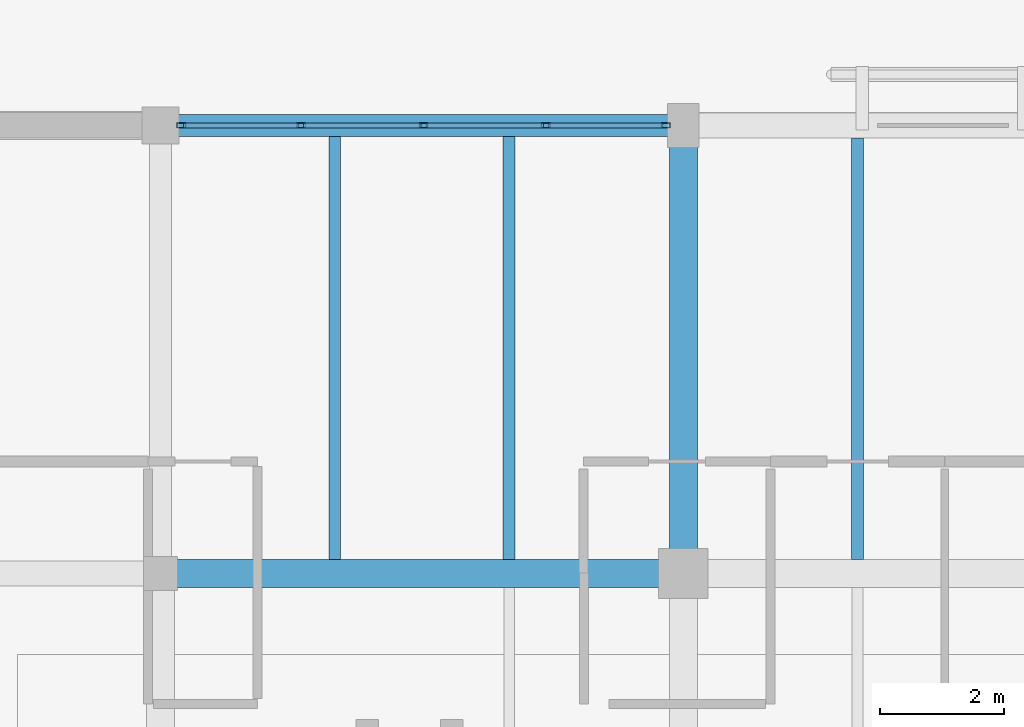
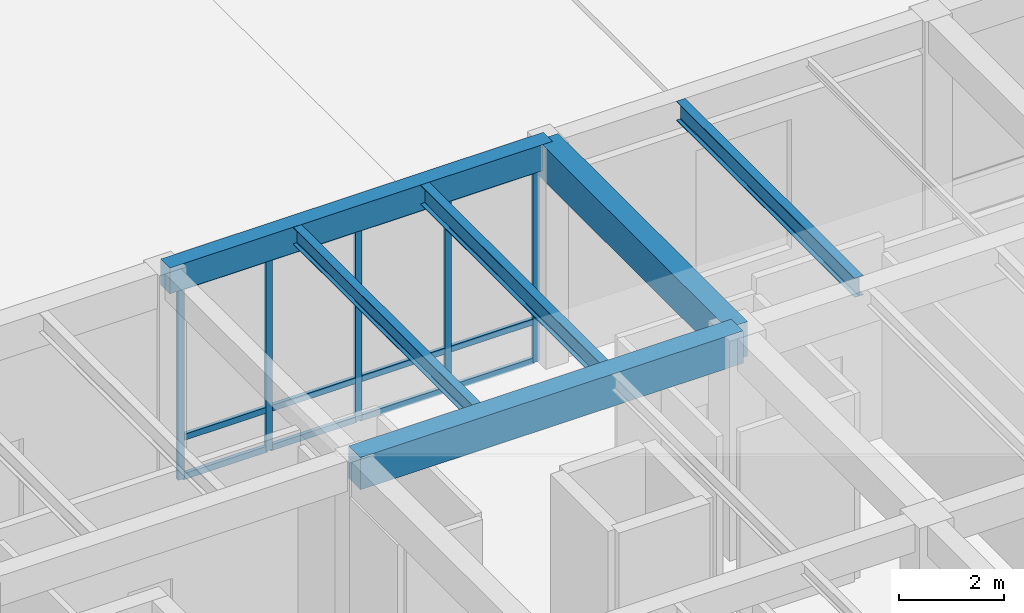
# One storey, part 49 of 169: 17 members, 6 beams, 1 element without a shape of its own.
"""IFC4 building model written with IfcOpenShell, lengths in metres."""

import ifcopenshell
import ifcopenshell.guid

model = None  # the IFC model being written
_history = None  # IfcOwnerHistory: only IFC2X3 demands one
_inside = {}  # id of a spatial element -> (the spatial element, [elements in it])
_under = {}  # id of a project, library or spatial element -> (it, [spatial elements below it])
_declared = {}  # id of a project -> (the project, [libraries it declares])
_typed = {}  # id of a type object -> (the type object, [elements of that type])
_made_of = {}  # id of a material, layer set ... -> (it, [elements and type objects made of it])


def new_model(schema):
    """Start an empty IFC model of exactly this schema.

    Asked for "IFC4X3", IfcOpenShell would pick the latest addendum, in which some entities
    have other attributes; the version numbers below select the first issue.
    IFC2X3 requires an IfcOwnerHistory on every rooted entity: one is made here for all.
    """
    global model, _history
    if schema == "IFC4X3":
        model = ifcopenshell.file(schema_version=(4, 3, 0, 0))
    else:
        model = ifcopenshell.file(schema=schema)
    _inside.clear()
    _under.clear()
    _declared.clear()
    _typed.clear()
    _made_of.clear()
    _history = None
    if model.schema == "IFC2X3":
        org = make("IfcOrganization", Name="unknown")
        user = make(
            "IfcPersonAndOrganization",
            ThePerson=make("IfcPerson", FamilyName="unknown"),
            TheOrganization=org,
        )
        app = make(
            "IfcApplication",
            ApplicationDeveloper=org,
            Version="unknown",
            ApplicationFullName="unknown",
            ApplicationIdentifier="unknown",
        )
        _history = make(
            "IfcOwnerHistory",
            OwningUser=user,
            OwningApplication=app,
            ChangeAction="ADDED",
            CreationDate=0,
        )
    return model


def make(cls, **values):
    """One entity of the class cls with the attributes given. An attribute that is None is left unset."""
    return model.create_entity(
        cls, **{name: value for name, value in values.items() if value is not None}
    )


def rooted(cls, **values):
    """An entity with a GlobalId (a new one), such as an element, a storey or a relation."""
    return make(cls, GlobalId=ifcopenshell.guid.new(), OwnerHistory=_history, **values)


def si_unit(unit_type, name, prefix=None):
    """IfcSIUnit, for example si_unit("LENGTHUNIT", "METRE", prefix="MILLI")."""
    return make("IfcSIUnit", UnitType=unit_type, Prefix=prefix, Name=name)


def assignment(units):
    """IfcUnitAssignment: the units of a project."""
    return None if units is None else make("IfcUnitAssignment", Units=units)


def point(xyz):
    """IfcCartesianPoint."""
    return None if xyz is None else make("IfcCartesianPoint", Coordinates=xyz)


def direction(xyz):
    """IfcDirection."""
    return None if xyz is None else make("IfcDirection", DirectionRatios=xyz)


def frame(location, z_axis=None, x_axis=None):
    """IfcAxis2Placement3D, a coordinate frame: its origin and axes. An axis left out is left unset."""
    return make(
        "IfcAxis2Placement3D",
        Location=point(location),
        Axis=direction(z_axis),
        RefDirection=direction(x_axis),
    )


def frame_2d(location, x_axis=None):
    """IfcAxis2Placement2D, a coordinate frame in the plane: its origin and x axis."""
    return make(
        "IfcAxis2Placement2D", Location=point(location), RefDirection=direction(x_axis)
    )


def origin():
    """The frame at (0, 0, 0) with its axes left unset."""
    return frame((0.0, 0.0, 0.0))


def origin_2d():
    """The frame at (0, 0) in the plane with its x axis left unset."""
    return frame_2d((0.0, 0.0))


def place(relative_to, where):
    """IfcLocalPlacement: puts the frame where relative to a parent placement (None: the world)."""
    return make(
        "IfcLocalPlacement", PlacementRelTo=relative_to, RelativePlacement=where
    )


def context(
    kind, dimensions, precision=None, world=None, true_north=None, identifier=None
):
    """IfcGeometricRepresentationContext, for example the 3D "Model" context."""
    return make(
        "IfcGeometricRepresentationContext",
        ContextIdentifier=identifier,
        ContextType=kind,
        CoordinateSpaceDimension=dimensions,
        Precision=precision,
        WorldCoordinateSystem=world,
        TrueNorth=true_north,
    )


def subcontext(parent, identifier, kind, view, scale=None):
    """IfcGeometricRepresentationSubContext, for example "Body" below "Model"."""
    return make(
        "IfcGeometricRepresentationSubContext",
        ContextIdentifier=identifier,
        ContextType=kind,
        ParentContext=parent,
        TargetScale=scale,
        TargetView=view,
    )


def project(units=None, contexts=None):
    """IfcProject with its units and contexts."""
    return rooted(
        "IfcProject",
        Name="project",
        RepresentationContexts=contexts,
        UnitsInContext=assignment(units),
    )


def spatial(cls, under=None, at=None, **own):
    """A site, building, storey or space (cls), placed at a placement, below another one or the project."""
    s = rooted(cls, ObjectPlacement=at, **own)
    if under is not None:
        _under.setdefault(under.id(), (under, []))[1].append(s)
    return s


def profile(cls, at=None, kind="AREA", **sizes):
    """A parametric profile (cls). Its sizes go by their IFC names, for example OverallWidth=200.0."""
    return make(cls, ProfileType=kind, Position=at, **sizes)


def rectangle(**sizes):
    """IfcRectangleProfileDef."""
    return profile("IfcRectangleProfileDef", **sizes)


def hollow_rectangle(**sizes):
    """IfcRectangleHollowProfileDef."""
    return profile("IfcRectangleHollowProfileDef", **sizes)


def i_section(**sizes):
    """IfcIShapeProfileDef."""
    return profile("IfcIShapeProfileDef", **sizes)


def extrude(swept, where, along, depth):
    """IfcExtrudedAreaSolid: the profile swept, set in the frame where, extruded along a direction by depth."""
    return make(
        "IfcExtrudedAreaSolid",
        SweptArea=swept,
        Position=where,
        ExtrudedDirection=direction(along),
        Depth=depth,
    )


def shape(context_of_items, identifier, shape_type, items):
    """IfcShapeRepresentation: the items that make up one representation, for example the "Body"."""
    return make(
        "IfcShapeRepresentation",
        ContextOfItems=context_of_items,
        RepresentationIdentifier=identifier,
        RepresentationType=shape_type,
        Items=items,
    )


def material(Name=None, Category=None):
    """IfcMaterial."""
    return make("IfcMaterial", Name=Name, Category=Category)


def layer(
    of_material, thickness, ventilated=None, Name=None, Category=None, Priority=None
):
    """IfcMaterialLayer: one layer of a wall or slab, of a material (None: an air gap)."""
    return make(
        "IfcMaterialLayer",
        Material=of_material,
        LayerThickness=thickness,
        IsVentilated=ventilated,
        Name=Name,
        Category=Category,
        Priority=Priority,
    )


def layer_set(layers, Name=None):
    """IfcMaterialLayerSet."""
    return make("IfcMaterialLayerSet", MaterialLayers=layers, LayerSetName=Name)


def material_profile(
    of_material, cross_section, Name=None, Category=None, Priority=None
):
    """IfcMaterialProfile: a cross section and its material."""
    return make(
        "IfcMaterialProfile",
        Name=Name,
        Material=of_material,
        Profile=cross_section,
        Priority=Priority,
        Category=Category,
    )


def profile_set(profiles, Name=None, composite=None):
    """IfcMaterialProfileSet."""
    return make(
        "IfcMaterialProfileSet",
        Name=Name,
        MaterialProfiles=profiles,
        CompositeProfile=composite,
    )


def made_of(thing, what):
    """Note that an element or type object is made of a material, layer set ...; save() writes the relation."""
    if what is not None:
        _made_of.setdefault(what.id(), (what, []))[1].append(thing)
    return thing


def type_object(cls, material=None, **own):
    """A type object (cls), such as IfcWallType, which elements share."""
    return made_of(rooted(cls, **own), material)


def element(
    cls,
    number,
    at=None,
    inside=None,
    cuts=None,
    type_object=None,
    material=None,
    context=None,
    identifier="Body",
    shape_type=None,
    held_by="IfcProductDefinitionShape",
    body=None,
    shapes=None,
    **own,
):
    """One element of the class cls, such as IfcWall. Its Tag is "e" and its number.

    at: its placement. inside: the storey or other place that contains it. cuts: it is an
    opening in that element (IfcRelVoidsElement). A single representation is given by context,
    identifier, shape_type and body (its items); several are given by shapes. held_by: the class
    of the entity that holds the representations. save() writes the other relations.
    """
    e = rooted(cls, Tag="e%d" % number, ObjectPlacement=at, **own)
    if body is not None:
        shapes = [shape(context, identifier, shape_type, body)]
    if shapes is not None:
        e.Representation = make(held_by, Representations=shapes)
    if inside is not None:
        _inside.setdefault(inside.id(), (inside, []))[1].append(e)
    if cuts is not None:
        rooted(
            "IfcRelVoidsElement", RelatingBuildingElement=cuts, RelatedOpeningElement=e
        )
    if type_object is not None:
        _typed.setdefault(type_object.id(), (type_object, []))[1].append(e)
    return made_of(e, material)


def aggregate(whole, parts):
    """IfcRelAggregates: a whole, such as a stair, and the parts it consists of."""
    return rooted("IfcRelAggregates", RelatingObject=whole, RelatedObjects=parts)


def save(model, path):
    """Write the relations noted so far, then the file.

    IfcRelAggregates (storeys below a building ...), IfcRelContainedInSpatialStructure (elements
    in a storey), IfcRelDefinesByType, IfcRelAssociatesMaterial and IfcRelDeclares: one each for
    every whole, place, type object, material and project.
    """
    for whole, parts in _under.values():
        aggregate(whole, parts)
    for where, things in _inside.values():
        rooted(
            "IfcRelContainedInSpatialStructure",
            RelatedElements=things,
            RelatingStructure=where,
        )
    for kind, things in _typed.values():
        rooted("IfcRelDefinesByType", RelatedObjects=things, RelatingType=kind)
    for what, things in _made_of.values():
        rooted("IfcRelAssociatesMaterial", RelatedObjects=things, RelatingMaterial=what)
    for by, libraries in _declared.values():
        rooted("IfcRelDeclares", RelatingContext=by, RelatedDefinitions=libraries)
    model.write(path)


model = new_model("IFC4")

# Units and contexts
model_context = context("Model", 3, precision=1e-05, world=origin(), true_north=direction((0.0, 1.0)))
body_context = subcontext(model_context, "Body", "Model", "MODEL_VIEW")
ifc_project = project(units=[si_unit("LENGTHUNIT", "METRE"), si_unit("AREAUNIT", "SQUARE_METRE"), si_unit("VOLUMEUNIT", "CUBIC_METRE"), si_unit("PLANEANGLEUNIT", "RADIAN"), si_unit("MASSUNIT", "GRAM", prefix="KILO")], contexts=[model_context])

# Site, building, storey
site_placement = place(None, origin())
site = spatial("IfcSite", under=ifc_project, at=site_placement, CompositionType="ELEMENT")
building_placement = place(site_placement, origin())
building = spatial("IfcBuilding", under=site, at=building_placement, Name="Mazaris Harbour Polytechnic", CompositionType="ELEMENT")
storey_placement = place(building_placement, origin())
storey = spatial("IfcBuildingStorey", under=building, at=storey_placement, Name="L00", CompositionType="ELEMENT", Elevation=0.0)

# Curtain wall, members
ifc_material_1 = material(Name="Anodised Bronze Aluminium and Low-E Glass", Category="aluminium")
ifc_layer = layer(ifc_material_1, 0.159912109375, Name="Anodised Bronze Aluminium and Low-E Glass")
ifc_layer_set = layer_set([ifc_layer], Name="Anodised Bronze Aluminium and Low-E Glass")
curtain_wall_type = type_object("IfcCurtainWallType", Name="Cloister Court Curtain Wall", PredefinedType="NOTDEFINED", material=ifc_layer_set)
curtain_wall_placement = place(storey_placement, origin())
curtain_wall = element("IfcCurtainWall", 1, at=curtain_wall_placement, inside=storey, type_object=curtain_wall_type, Name="V3 L00 Curtain Wall 65", PredefinedType="NOTDEFINED")
ifc_material_2 = material(Name="Anodised Bronze Steel S355", Category="steel")
ifc_material_profile_1 = material_profile(ifc_material_2, hollow_rectangle(XDim=0.080078125, YDim=0.139892578125, WallThickness=0.00634765625, at=origin_2d()), Name="RHS 80x140x6.3")
ifc_profile_set_1 = profile_set([ifc_material_profile_1], Name="Anodised Bronze Steel S355")
member_type_1 = type_object("IfcMemberType", Name="Curtain Mullion RHS80x140", PredefinedType="MULLION", material=ifc_profile_set_1)
member_1_placement = place(storey_placement, frame((71.132080078125, 36.0, 0.0), z_axis=(0.0, 0.0, 1.0), x_axis=(0.0, 1.0, 0.0)))
member_1 = element("IfcMember", 2, at=member_1_placement, type_object=member_type_1, Name="CW-02 mullion 1", PredefinedType="MULLION", context=body_context, shape_type="SweptSolid", body=[
    extrude(hollow_rectangle(XDim=0.080078125, YDim=0.139892578125, WallThickness=0.00634765625, at=origin_2d()), origin(), (0.0, 0.0, 1.0), 4.489990234375),
])
member_2_placement = place(storey_placement, frame((73.05859375, 36.0, 0.0), z_axis=(0.0, 0.0, 1.0), x_axis=(0.0, 1.0, 0.0)))
member_2 = element("IfcMember", 3, at=member_2_placement, type_object=member_type_1, Name="CW-02 mullion 2", PredefinedType="MULLION", context=body_context, shape_type="SweptSolid", body=[
    extrude(hollow_rectangle(XDim=0.080078125, YDim=0.139892578125, WallThickness=0.00634765625, at=origin_2d()), origin(), (0.0, 0.0, 1.0), 4.489990234375),
])
member_3_placement = place(storey_placement, frame((75.02490234375, 36.0, 0.0), z_axis=(0.0, 0.0, 1.0), x_axis=(0.0, 1.0, 0.0)))
member_3 = element("IfcMember", 4, at=member_3_placement, type_object=member_type_1, Name="CW-02 mullion 3", PredefinedType="MULLION", context=body_context, shape_type="SweptSolid", body=[
    extrude(hollow_rectangle(XDim=0.080078125, YDim=0.139892578125, WallThickness=0.00634765625, at=origin_2d()), origin(), (0.0, 0.0, 1.0), 4.489990234375),
])
member_4_placement = place(storey_placement, frame((76.991455078125, 36.0, 0.0), z_axis=(0.0, 0.0, 1.0), x_axis=(0.0, 1.0, 0.0)))
member_4 = element("IfcMember", 5, at=member_4_placement, type_object=member_type_1, Name="CW-02 mullion 4", PredefinedType="MULLION", context=body_context, shape_type="SweptSolid", body=[
    extrude(hollow_rectangle(XDim=0.080078125, YDim=0.139892578125, WallThickness=0.00634765625, at=origin_2d()), origin(), (0.0, 0.0, 1.0), 4.489990234375),
])
member_5_placement = place(storey_placement, frame((78.91796875, 36.0, 0.0), z_axis=(0.0, 0.0, 1.0), x_axis=(0.0, 1.0, 0.0)))
member_5 = element("IfcMember", 6, at=member_5_placement, type_object=member_type_1, Name="CW-02 mullion 5", PredefinedType="MULLION", context=body_context, shape_type="SweptSolid", body=[
    extrude(hollow_rectangle(XDim=0.080078125, YDim=0.139892578125, WallThickness=0.00634765625, at=origin_2d()), origin(), (0.0, 0.0, 1.0), 4.489990234375),
])
ifc_material_3 = material(Name="Anodised Bronze Steel S355", Category="steel")
ifc_material_profile_2 = material_profile(ifc_material_3, hollow_rectangle(XDim=0.080078125, YDim=0.139892578125, WallThickness=0.00634765625, at=origin_2d()), Name="RHS 80x140x6.3")
ifc_profile_set_2 = profile_set([ifc_material_profile_2], Name="Anodised Bronze Steel S355")
member_type_2 = type_object("IfcMemberType", Name="Curtain Transom RHS80x140", PredefinedType="USERDEFINED", material=ifc_profile_set_2)
member_6_placement = place(storey_placement, frame((71.172119140625, 36.0, 0.0400390625), z_axis=(1.0, 0.0, 0.0), x_axis=(0.0, 1.0, 0.0)))
member_6 = element("IfcMember", 7, at=member_6_placement, type_object=member_type_2, Name="CW-02 transom 1.1", ObjectType="TRANSOM", PredefinedType="USERDEFINED", context=body_context, shape_type="SweptSolid", body=[
    extrude(hollow_rectangle(XDim=0.080078125, YDim=0.139892578125, WallThickness=0.00634765625, at=origin_2d()), origin(), (0.0, 0.0, 1.0), 1.846435546875),
])
member_7_placement = place(storey_placement, frame((71.172119140625, 36.0, 0.949951171875), z_axis=(1.0, 0.0, 0.0), x_axis=(0.0, 1.0, 0.0)))
member_7 = element("IfcMember", 8, at=member_7_placement, type_object=member_type_2, Name="CW-02 transom 1.2", ObjectType="TRANSOM", PredefinedType="USERDEFINED", context=body_context, shape_type="SweptSolid", body=[
    extrude(hollow_rectangle(XDim=0.080078125, YDim=0.139892578125, WallThickness=0.00634765625, at=origin_2d()), origin(), (0.0, 0.0, 1.0), 1.846435546875),
])
member_8_placement = place(storey_placement, frame((71.172119140625, 36.0, 4.449951171875), z_axis=(1.0, 0.0, 0.0), x_axis=(0.0, 1.0, 0.0)))
member_8 = element("IfcMember", 9, at=member_8_placement, type_object=member_type_2, Name="CW-02 transom 1.3", ObjectType="TRANSOM", PredefinedType="USERDEFINED", context=body_context, shape_type="SweptSolid", body=[
    extrude(hollow_rectangle(XDim=0.080078125, YDim=0.139892578125, WallThickness=0.00634765625, at=origin_2d()), origin(), (0.0, 0.0, 1.0), 1.846435546875),
])
member_9_placement = place(storey_placement, frame((73.098388671875, 36.0, 0.0400390625), z_axis=(1.0, 0.0, 0.0), x_axis=(0.0, 1.0, 0.0)))
member_9 = element("IfcMember", 10, at=member_9_placement, type_object=member_type_2, Name="CW-02 transom 2.1", ObjectType="TRANSOM", PredefinedType="USERDEFINED", context=body_context, shape_type="SweptSolid", body=[
    extrude(hollow_rectangle(XDim=0.080078125, YDim=0.139892578125, WallThickness=0.00634765625, at=origin_2d()), origin(), (0.0, 0.0, 1.0), 1.88671875),
])
member_10_placement = place(storey_placement, frame((73.098388671875, 36.0, 0.949951171875), z_axis=(1.0, 0.0, 0.0), x_axis=(0.0, 1.0, 0.0)))
member_10 = element("IfcMember", 11, at=member_10_placement, type_object=member_type_2, Name="CW-02 transom 2.2", ObjectType="TRANSOM", PredefinedType="USERDEFINED", context=body_context, shape_type="SweptSolid", body=[
    extrude(hollow_rectangle(XDim=0.080078125, YDim=0.139892578125, WallThickness=0.00634765625, at=origin_2d()), origin(), (0.0, 0.0, 1.0), 1.88671875),
])
member_11_placement = place(storey_placement, frame((73.098388671875, 36.0, 4.449951171875), z_axis=(1.0, 0.0, 0.0), x_axis=(0.0, 1.0, 0.0)))
member_11 = element("IfcMember", 12, at=member_11_placement, type_object=member_type_2, Name="CW-02 transom 2.3", ObjectType="TRANSOM", PredefinedType="USERDEFINED", context=body_context, shape_type="SweptSolid", body=[
    extrude(hollow_rectangle(XDim=0.080078125, YDim=0.139892578125, WallThickness=0.00634765625, at=origin_2d()), origin(), (0.0, 0.0, 1.0), 1.88671875),
])
member_12_placement = place(storey_placement, frame((75.06494140625, 36.0, 0.0400390625), z_axis=(1.0, 0.0, 0.0), x_axis=(0.0, 1.0, 0.0)))
member_12 = element("IfcMember", 13, at=member_12_placement, type_object=member_type_2, Name="CW-02 transom 3.1", ObjectType="TRANSOM", PredefinedType="USERDEFINED", context=body_context, shape_type="SweptSolid", body=[
    extrude(hollow_rectangle(XDim=0.080078125, YDim=0.139892578125, WallThickness=0.00634765625, at=origin_2d()), origin(), (0.0, 0.0, 1.0), 1.886474609375),
])
member_13_placement = place(storey_placement, frame((75.06494140625, 36.0, 0.949951171875), z_axis=(1.0, 0.0, 0.0), x_axis=(0.0, 1.0, 0.0)))
member_13 = element("IfcMember", 14, at=member_13_placement, type_object=member_type_2, Name="CW-02 transom 3.2", ObjectType="TRANSOM", PredefinedType="USERDEFINED", context=body_context, shape_type="SweptSolid", body=[
    extrude(hollow_rectangle(XDim=0.080078125, YDim=0.139892578125, WallThickness=0.00634765625, at=origin_2d()), origin(), (0.0, 0.0, 1.0), 1.886474609375),
])
member_14_placement = place(storey_placement, frame((75.06494140625, 36.0, 4.449951171875), z_axis=(1.0, 0.0, 0.0), x_axis=(0.0, 1.0, 0.0)))
member_14 = element("IfcMember", 15, at=member_14_placement, type_object=member_type_2, Name="CW-02 transom 3.3", ObjectType="TRANSOM", PredefinedType="USERDEFINED", context=body_context, shape_type="SweptSolid", body=[
    extrude(hollow_rectangle(XDim=0.080078125, YDim=0.139892578125, WallThickness=0.00634765625, at=origin_2d()), origin(), (0.0, 0.0, 1.0), 1.886474609375),
])
member_15_placement = place(storey_placement, frame((77.031494140625, 36.0, 0.0400390625), z_axis=(1.0, 0.0, 0.0), x_axis=(0.0, 1.0, 0.0)))
member_15 = element("IfcMember", 16, at=member_15_placement, type_object=member_type_2, Name="CW-02 transom 4.1", ObjectType="TRANSOM", PredefinedType="USERDEFINED", context=body_context, shape_type="SweptSolid", body=[
    extrude(hollow_rectangle(XDim=0.080078125, YDim=0.139892578125, WallThickness=0.00634765625, at=origin_2d()), origin(), (0.0, 0.0, 1.0), 1.846435546875),
])
member_16_placement = place(storey_placement, frame((77.031494140625, 36.0, 0.949951171875), z_axis=(1.0, 0.0, 0.0), x_axis=(0.0, 1.0, 0.0)))
member_16 = element("IfcMember", 17, at=member_16_placement, type_object=member_type_2, Name="CW-02 transom 4.2", ObjectType="TRANSOM", PredefinedType="USERDEFINED", context=body_context, shape_type="SweptSolid", body=[
    extrude(hollow_rectangle(XDim=0.080078125, YDim=0.139892578125, WallThickness=0.00634765625, at=origin_2d()), origin(), (0.0, 0.0, 1.0), 1.846435546875),
])
member_17_placement = place(storey_placement, frame((77.031494140625, 36.0, 4.449951171875), z_axis=(1.0, 0.0, 0.0), x_axis=(0.0, 1.0, 0.0)))
member_17 = element("IfcMember", 18, at=member_17_placement, type_object=member_type_2, Name="CW-02 transom 4.3", ObjectType="TRANSOM", PredefinedType="USERDEFINED", context=body_context, shape_type="SweptSolid", body=[
    extrude(hollow_rectangle(XDim=0.080078125, YDim=0.139892578125, WallThickness=0.00634765625, at=origin_2d()), origin(), (0.0, 0.0, 1.0), 1.846435546875),
])
aggregate(curtain_wall, [member_1, member_2, member_3, member_4, member_5, member_6, member_7, member_8, member_9, member_10, member_11, member_12, member_13, member_14, member_15, member_16, member_17])

# Beams
ifc_material_4 = material(Name="Concrete C35/45", Category="concrete")
ifc_material_profile_3 = material_profile(ifc_material_4, rectangle(XDim=0.35009765625, YDim=0.60009765625, at=origin_2d()), Name="RECT350x600")
ifc_profile_set_3 = profile_set([ifc_material_profile_3], Name="Concrete C35/45")
beam_type_1 = type_object("IfcBeamType", Name="RC Girder 350x600 Exterior", PredefinedType="BEAM", material=ifc_profile_set_3)
beam_1_placement = place(storey_placement, frame((70.800048828125, 36.0, 4.800048828125), z_axis=(1.0, 0.0, 0.0), x_axis=(0.0, 1.0, 0.0)))
element("IfcBeam", 19, at=beam_1_placement, inside=storey, type_object=beam_type_1, Name="V3 L00 Girder 885", PredefinedType="BEAM", context=body_context, shape_type="SweptSolid", body=[
    extrude(rectangle(XDim=0.35009765625, YDim=0.60009765625, at=origin_2d()), origin(), (0.0, 0.0, 1.0), 8.39990234375),
])
ifc_material_5 = material(Name="Concrete C40/50", Category="concrete")
ifc_material_profile_4 = material_profile(ifc_material_5, rectangle(XDim=0.449951171875, YDim=0.75, at=origin_2d()), Name="RECT450x750")
ifc_profile_set_4 = profile_set([ifc_material_profile_4], Name="Concrete C40/50")
beam_type_2 = type_object("IfcBeamType", Name="RC Girder 450x750", PredefinedType="BEAM", material=ifc_profile_set_4)
beam_2_placement = place(storey_placement, frame((70.800048828125, 28.800048828125, 4.72509765625), z_axis=(1.0, 0.0, 0.0), x_axis=(0.0, 1.0, 0.0)))
element("IfcBeam", 20, at=beam_2_placement, inside=storey, type_object=beam_type_2, Name="V3 L00 Girder 878", PredefinedType="BEAM", context=body_context, shape_type="SweptSolid", body=[
    extrude(rectangle(XDim=0.449951171875, YDim=0.75, at=origin_2d()), origin(), (0.0, 0.0, 1.0), 8.39990234375),
])
ifc_material_6 = material(Name="Concrete C40/50", Category="concrete")
ifc_material_profile_5 = material_profile(ifc_material_6, rectangle(XDim=0.449951171875, YDim=0.800048828125, at=origin_2d()), Name="RECT450x800")
ifc_profile_set_5 = profile_set([ifc_material_profile_5], Name="Concrete C40/50")
beam_type_3 = type_object("IfcBeamType", Name="RC Girder 450x800", PredefinedType="BEAM", material=ifc_profile_set_5)
beam_3_placement = place(storey_placement, frame((79.199951171875, 28.800048828125, 4.699951171875), z_axis=(0.0, 1.0, 0.0), x_axis=(-1.0, 0.0, 0.0)))
element("IfcBeam", 21, at=beam_3_placement, inside=storey, type_object=beam_type_3, Name="V3 L00 Tie Girder 904", PredefinedType="BEAM", context=body_context, shape_type="SweptSolid", body=[
    extrude(rectangle(XDim=0.449951171875, YDim=0.800048828125, at=origin_2d()), origin(), (0.0, 0.0, 1.0), 7.199951171875),
])
ifc_material_7 = material(Name="Steel S355", Category="steel")
ifc_material_profile_6 = material_profile(ifc_material_7, i_section(OverallWidth=0.179931640625, OverallDepth=0.39990234375, WebThickness=0.008544921875, FlangeThickness=0.013427734375, FilletRadius=0.02099609375, at=origin_2d()), Name="IPE 400")
ifc_profile_set_6 = profile_set([ifc_material_profile_6], Name="Steel S355")
beam_type_4 = type_object("IfcBeamType", Name="Steel Joist IPE400", PredefinedType="JOIST", material=ifc_profile_set_6)
beam_4_placement = place(storey_placement, frame((73.60009765625, 29.02490234375, 4.89990234375), z_axis=(0.0, 1.0, 0.0), x_axis=(-1.0, 0.0, 0.0)))
element("IfcBeam", 22, at=beam_4_placement, inside=storey, type_object=beam_type_4, Name="V3 L00 Floor Joist 936", PredefinedType="JOIST", context=body_context, shape_type="SweptSolid", body=[
    extrude(i_section(OverallWidth=0.179931640625, OverallDepth=0.39990234375, WebThickness=0.008544921875, FlangeThickness=0.013427734375, FilletRadius=0.02099609375, at=origin_2d()), origin(), (0.0, 0.0, 1.0), 6.800048828125),
])
ifc_material_8 = material(Name="Steel S355", Category="steel")
ifc_material_profile_7 = material_profile(ifc_material_8, i_section(OverallWidth=0.18994140625, OverallDepth=0.449951171875, WebThickness=0.009521484375, FlangeThickness=0.0146484375, FilletRadius=0.02099609375, at=origin_2d()), Name="IPE 450")
ifc_profile_set_7 = profile_set([ifc_material_profile_7], Name="Steel S355")
beam_type_5 = type_object("IfcBeamType", Name="Steel Joist IPE450", PredefinedType="JOIST", material=ifc_profile_set_7)
beam_5_placement = place(storey_placement, frame((76.39990234375, 29.02490234375, 4.875), z_axis=(0.0, 1.0, 0.0), x_axis=(-1.0, 0.0, 0.0)))
element("IfcBeam", 23, at=beam_5_placement, inside=storey, type_object=beam_type_5, Name="V3 L00 Floor Joist 937", PredefinedType="JOIST", context=body_context, shape_type="SweptSolid", body=[
    extrude(i_section(OverallWidth=0.18994140625, OverallDepth=0.449951171875, WebThickness=0.009521484375, FlangeThickness=0.0146484375, FilletRadius=0.02099609375, at=origin_2d()), origin(), (0.0, 0.0, 1.0), 6.800048828125),
])
beam_6_placement = place(storey_placement, frame((82.0, 29.02490234375, 4.875), z_axis=(0.0, 1.0, 0.0), x_axis=(-1.0, 0.0, 0.0)))
element("IfcBeam", 24, at=beam_6_placement, inside=storey, type_object=beam_type_5, Name="V3 L00 Floor Joist 944", PredefinedType="JOIST", context=body_context, shape_type="SweptSolid", body=[
    extrude(i_section(OverallWidth=0.18994140625, OverallDepth=0.449951171875, WebThickness=0.009521484375, FlangeThickness=0.0146484375, FilletRadius=0.02099609375, at=origin_2d()), origin(), (0.0, 0.0, 1.0), 6.775146484375),
])

save(model, "model.ifc")
